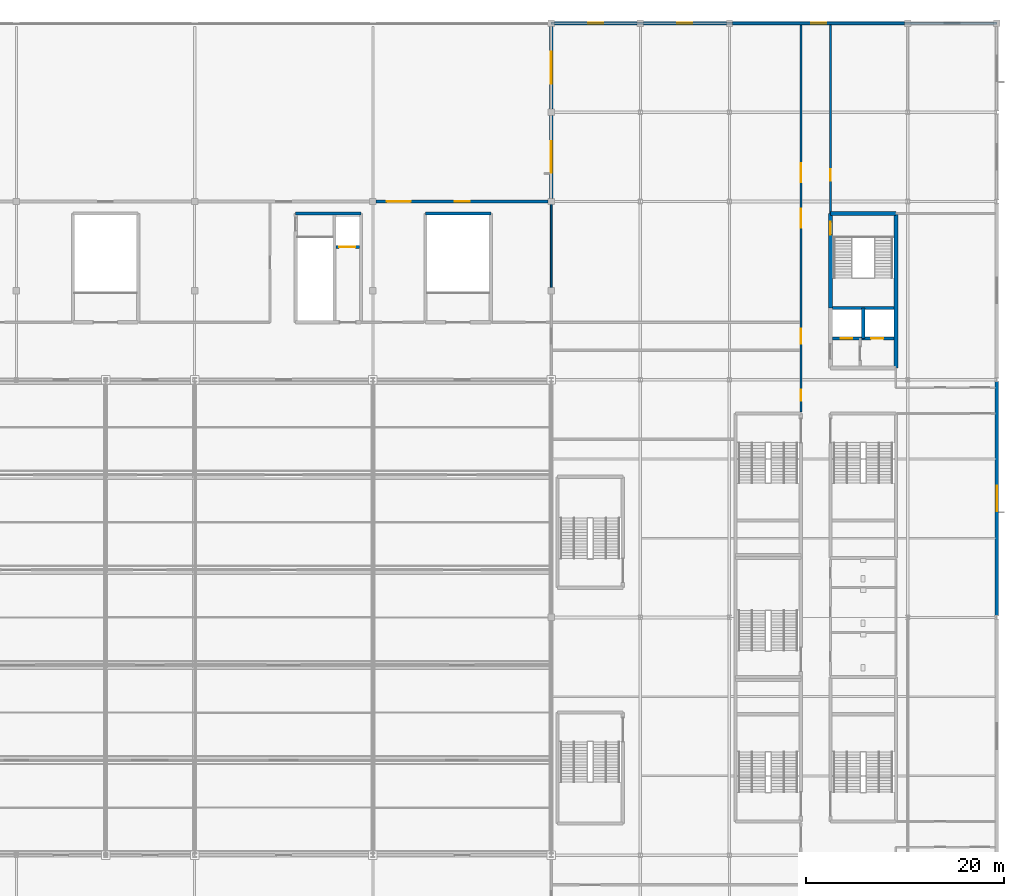
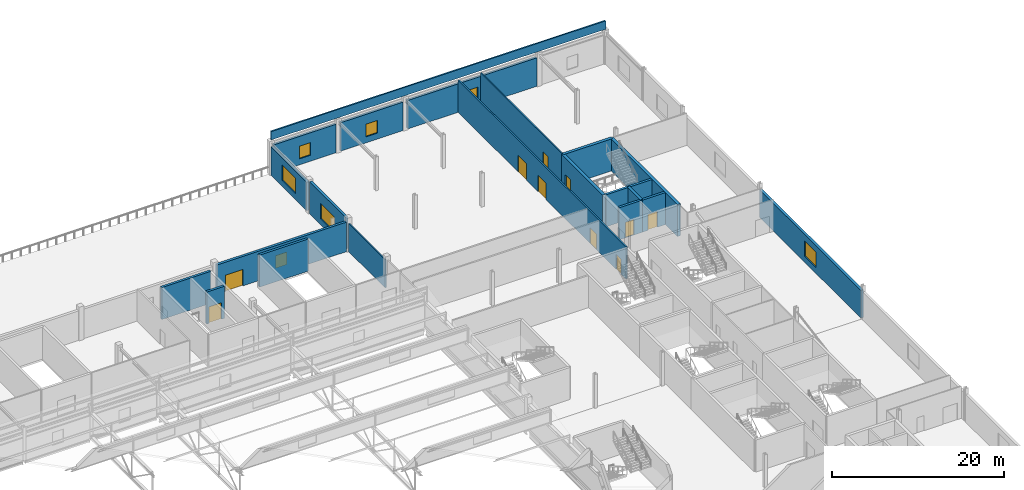
# One storey, part 107 of 136: 21 walls, 10 doors, 7 windows, 17 openings.
"""IFC4 building model written with IfcOpenShell, lengths in metres."""

from ifc_helpers import new_model, si_unit, direction, frame, frame_2d, origin, place, context, subcontext, project, spatial, rectangle, extrude, material, layer, layer_set, type_object, element, fill, save


model = new_model("IFC4")

# Units and contexts
model_context = context("Model", 3, precision=1e-05, world=origin(), true_north=direction((0.0, 1.0)))
body_context = subcontext(model_context, "Body", "Model", "MODEL_VIEW")
ifc_project = project(units=[si_unit("LENGTHUNIT", "METRE"), si_unit("AREAUNIT", "SQUARE_METRE"), si_unit("VOLUMEUNIT", "CUBIC_METRE"), si_unit("PLANEANGLEUNIT", "RADIAN"), si_unit("MASSUNIT", "GRAM", prefix="KILO")], contexts=[model_context])

# Site, building, storey
site_placement = place(None, origin())
site = spatial("IfcSite", under=ifc_project, at=site_placement, CompositionType="ELEMENT")
building_placement = place(site_placement, origin())
building = spatial("IfcBuilding", under=site, at=building_placement, Name="Kisiwana Market Hall", CompositionType="ELEMENT")
storey_placement = place(building_placement, frame((0.0, 0.0, 16.800048828125)))
storey = spatial("IfcBuildingStorey", under=building, at=storey_placement, Name="L03", CompositionType="ELEMENT", Elevation=16.800048828125)

# Wall, openings, doors
ifc_material_1 = material(Name="Masonry blockwork", Category="masonry")
ifc_layer_1 = layer(ifc_material_1, 0.199951171875, Name="Plastered fire compartment block wall")
ifc_layer_set_1 = layer_set([ifc_layer_1], Name="WL-COMP-200")
wall_type_1 = type_object("IfcWallType", Name="WL-COMP-200", PredefinedType="PARTITIONING", material=ifc_layer_set_1)
wall_1_placement = place(storey_placement, frame((178.199951171875, 80.760009765625, 0.0), z_axis=(0.0, 0.0, 1.0), x_axis=(0.0, 1.0, 0.0)))
wall_1 = element("IfcWall", 1, at=wall_1_placement, inside=storey, type_object=wall_type_1, Name="Interior partition W-1487", PredefinedType="PARTITIONING", context=body_context, shape_type="SweptSolid", body=[
    extrude(rectangle(XDim=39.070068359375, YDim=0.199951171875, at=frame_2d((19.53515625, 0.0))), origin(), (0.0, 0.0, 1.0), 4.554931640625),
])
opening_1_placement = place(wall_1_placement, frame((1.10009765625, 0.0, 0.0)))
opening_1 = element("IfcOpeningElement", 2, at=opening_1_placement, cuts=wall_1, Name="Opening DR-L03-080", PredefinedType="OPENING", context=body_context, shape_type="SweptSolid", body=[
    extrude(rectangle(XDim=1.14990234375, YDim=2.14990234375, at=frame_2d((0.574951171875, 1.074951171875))), frame((0.0, 0.11181640625, 0.0), z_axis=(0.0, -1.0, 0.0), x_axis=(1.0, 0.0, 0.0)), (0.0, 0.0, 1.0), 0.223876953125),
])
opening_2_placement = place(wall_1_placement, frame((6.889892578125, 0.0, 0.0)))
opening_2 = element("IfcOpeningElement", 3, at=opening_2_placement, cuts=wall_1, Name="Opening DR-L03-081", PredefinedType="OPENING", context=body_context, shape_type="SweptSolid", body=[
    extrude(rectangle(XDim=1.5, YDim=2.199951171875, at=frame_2d((0.75, 1.10009765625))), frame((0.0, 0.11181640625, 0.0), z_axis=(0.0, -1.0, 0.0), x_axis=(1.0, 0.0, 0.0)), (0.0, 0.0, 1.0), 0.223876953125),
])
opening_3_placement = place(wall_1_placement, frame((23.18994140625, 0.0, 0.0)))
opening_3 = element("IfcOpeningElement", 4, at=opening_3_placement, cuts=wall_1, Name="Opening DR-L03-082", PredefinedType="OPENING", context=body_context, shape_type="SweptSolid", body=[
    extrude(rectangle(XDim=1.89990234375, YDim=2.35009765625, at=frame_2d((0.949951171875, 1.175048828125))), frame((0.0, 0.11181640625, 0.0), z_axis=(0.0, -1.0, 0.0), x_axis=(1.0, 0.0, 0.0)), (0.0, 0.0, 1.0), 0.223876953125),
])
opening_4_placement = place(wall_1_placement, frame((18.5849609375, 0.0, 0.0)))
opening_4 = element("IfcOpeningElement", 5, at=opening_4_placement, cuts=wall_1, Name="Opening DR-L03-083", PredefinedType="OPENING", context=body_context, shape_type="SweptSolid", body=[
    extrude(rectangle(XDim=1.89990234375, YDim=2.35009765625, at=frame_2d((0.949951171875, 1.175048828125))), frame((0.0, 0.11181640625, 0.0), z_axis=(0.0, -1.0, 0.0), x_axis=(1.0, 0.0, 0.0)), (0.0, 0.0, 1.0), 0.223876953125),
])
ifc_material_2 = material(Name="Steel S275", Category="steel")
door_type_1 = type_object("IfcDoorType", Name="DR-CORR-FD60-1500", OperationType="DOUBLE_DOOR_SINGLE_SWING", PredefinedType="DOOR", material=ifc_material_2)
door_1_placement = place(opening_2_placement, origin())
door_1 = element("IfcDoor", 6, at=door_1_placement, inside=storey, type_object=door_type_1, Name="L03 E North Podium Link Corridor Door", OperationType="DOUBLE_DOOR_SINGLE_SWING", OverallHeight=2.199951171875, OverallWidth=1.5, PredefinedType="DOOR", context=body_context, shape_type="SweptSolid", body=[
    extrude(rectangle(XDim=1.5, YDim=2.199951171875, at=frame_2d((0.75, 1.10009765625))), frame((0.0, 0.02490234375, 0.0), z_axis=(0.0, -1.0, 0.0), x_axis=(1.0, 0.0, 0.0)), (0.0, 0.0, 1.0), 0.050048828125),
])
fill(opening_2, door_1)
ifc_material_3 = material(Name="Steel S275", Category="steel")
door_type_2 = type_object("IfcDoorType", Name="DR-HALL-1900", OperationType="DOUBLE_DOOR_SINGLE_SWING", PredefinedType="DOOR", material=ifc_material_3)
door_2_placement = place(opening_3_placement, origin())
door_2 = element("IfcDoor", 7, at=door_2_placement, inside=storey, type_object=door_type_2, Name="L03 E Podium Terrace Lounge East Door", OperationType="DOUBLE_DOOR_SINGLE_SWING", OverallHeight=2.35009765625, OverallWidth=1.89990234375, PredefinedType="DOOR", context=body_context, shape_type="SweptSolid", body=[
    extrude(rectangle(XDim=1.89990234375, YDim=2.35009765625, at=frame_2d((0.949951171875, 1.175048828125))), frame((0.0, 0.02490234375, 0.0), z_axis=(0.0, -1.0, 0.0), x_axis=(1.0, 0.0, 0.0)), (0.0, 0.0, 1.0), 0.050048828125),
])
fill(opening_3, door_2)
door_3_placement = place(opening_4_placement, origin())
door_3 = element("IfcDoor", 8, at=door_3_placement, inside=storey, type_object=door_type_2, Name="L03 E Civic Exhibition Hall Door", OperationType="DOUBLE_DOOR_SINGLE_SWING", OverallHeight=2.35009765625, OverallWidth=1.89990234375, PredefinedType="DOOR", context=body_context, shape_type="SweptSolid", body=[
    extrude(rectangle(XDim=1.89990234375, YDim=2.35009765625, at=frame_2d((0.949951171875, 1.175048828125))), frame((0.0, 0.02490234375, 0.0), z_axis=(0.0, -1.0, 0.0), x_axis=(1.0, 0.0, 0.0)), (0.0, 0.0, 1.0), 0.050048828125),
])
fill(opening_4, door_3)
ifc_material_4 = material(Name="Aluminium alloy 6063-T6", Category="aluminium")
door_type_3 = type_object("IfcDoorType", Name="DR-MEET-1150", OperationType="NOTDEFINED", PredefinedType="DOOR", material=ifc_material_4)
door_4_placement = place(opening_1_placement, origin())
door_4 = element("IfcDoor", 9, at=door_4_placement, inside=storey, type_object=door_type_3, Name="L03 E Curatorial Archive Workshop Door", OperationType="SINGLE_SWING_LEFT", OverallHeight=2.14990234375, OverallWidth=1.14990234375, PredefinedType="DOOR", context=body_context, shape_type="SweptSolid", body=[
    extrude(rectangle(XDim=1.14990234375, YDim=2.14990234375, at=frame_2d((0.574951171875, 1.074951171875))), frame((0.0, 0.02490234375, 0.0), z_axis=(0.0, -1.0, 0.0), x_axis=(1.0, 0.0, 0.0)), (0.0, 0.0, 1.0), 0.050048828125),
])
fill(opening_1, door_4)

# Walls
ifc_material_5 = material(Name="Concrete C40/50", Category="concrete")
ifc_layer_2 = layer(ifc_material_5, 0.320068359375, Name="Reinforced concrete shaft wall")
ifc_layer_set_2 = layer_set([ifc_layer_2], Name="WL-CORE-320")
wall_type_2 = type_object("IfcWallType", Name="WL-CORE-320", PredefinedType="SHEAR", material=ifc_layer_set_2)
wall_2_placement = place(storey_placement, frame((181.39990234375, 91.239990234375, 0.0), z_axis=(0.0, 0.0, 1.0), x_axis=(1.0, 0.0, 0.0)))
element("IfcWall", 10, at=wall_2_placement, inside=storey, type_object=wall_type_2, Name="Core E1 shaft back shear wall W-1216", PredefinedType="SHEAR", context=body_context, shape_type="SweptSolid", body=[
    extrude(rectangle(XDim=6.2001953125, YDim=0.320068359375, at=frame_2d((3.10009765625, 0.0))), origin(), (0.0, 0.0, 1.0), 4.554931640625),
])
wall_3_placement = place(storey_placement, frame((184.5, 88.179931640625, 0.0), z_axis=(0.0, 0.0, 1.0), x_axis=(0.0, 1.0, 0.0)))
element("IfcWall", 11, at=wall_3_placement, inside=storey, type_object=wall_type_2, Name="Core E1 inter-shaft shear wall W-1217", PredefinedType="SHEAR", context=body_context, shape_type="SweptSolid", body=[
    extrude(rectangle(XDim=3.06005859375, YDim=0.320068359375, at=frame_2d((1.530029296875, 0.0))), origin(), (0.0, 0.0, 1.0), 4.554931640625),
])

# Wall, opening, door
wall_4_placement = place(storey_placement, frame((181.39990234375, 88.179931640625, 0.0), z_axis=(0.0, 0.0, 1.0), x_axis=(1.0, 0.0, 0.0)))
wall_4 = element("IfcWall", 12, at=wall_4_placement, inside=storey, type_object=wall_type_2, Name="Core E1 west lift front wall W-1218", PredefinedType="SHEAR", context=body_context, shape_type="SweptSolid", body=[
    extrude(rectangle(XDim=3.10009765625, YDim=0.320068359375, at=frame_2d((1.550048828125, 0.0))), origin(), (0.0, 0.0, 1.0), 4.554931640625),
])
opening_5_placement = place(wall_4_placement, frame((0.85009765625, 0.0, 0.0)))
opening_5 = element("IfcOpeningElement", 13, at=opening_5_placement, cuts=wall_4, Name="Opening LD-L03-007", PredefinedType="OPENING", context=body_context, shape_type="SweptSolid", body=[
    extrude(rectangle(XDim=1.14990234375, YDim=2.199951171875, at=frame_2d((0.574951171875, 1.10009765625))), frame((0.0, 0.171875, 0.0), z_axis=(0.0, -1.0, 0.0), x_axis=(1.0, 0.0, 0.0)), (0.0, 0.0, 1.0), 0.343994140625),
])
ifc_material_6 = material(Name="Steel S275", Category="steel")
door_type_4 = type_object("IfcDoorType", Name="DR-LIFT-PAX-1150", OperationType="DOUBLE_DOOR_SLIDING", PredefinedType="DOOR", material=ifc_material_6)
door_5_placement = place(opening_5_placement, origin())
door_5 = element("IfcDoor", 14, at=door_5_placement, inside=storey, type_object=door_type_4, Name="Lift Landing Door LP-04 (L03)", OperationType="DOUBLE_DOOR_SLIDING", OverallHeight=2.199951171875, OverallWidth=1.14990234375, PredefinedType="DOOR", context=body_context, shape_type="SweptSolid", body=[
    extrude(rectangle(XDim=1.14990234375, YDim=2.199951171875, at=frame_2d((0.574951171875, 1.10009765625))), frame((0.0, 0.02490234375, 0.0), z_axis=(0.0, -1.0, 0.0), x_axis=(1.0, 0.0, 0.0)), (0.0, 0.0, 1.0), 0.050048828125),
])
fill(opening_5, door_5)

wall_5_placement = place(storey_placement, frame((184.5, 88.179931640625, 0.0), z_axis=(0.0, 0.0, 1.0), x_axis=(1.0, 0.0, 0.0)))
wall_5 = element("IfcWall", 15, at=wall_5_placement, inside=storey, type_object=wall_type_2, Name="Core E1 east lift front wall W-1219", PredefinedType="SHEAR", context=body_context, shape_type="SweptSolid", body=[
    extrude(rectangle(XDim=3.10009765625, YDim=0.320068359375, at=frame_2d((1.550048828125, 0.0))), origin(), (0.0, 0.0, 1.0), 4.554931640625),
])
opening_6_placement = place(wall_5_placement, frame((0.800048828125, 0.0, 0.0)))
opening_6 = element("IfcOpeningElement", 16, at=opening_6_placement, cuts=wall_5, Name="Opening LD-L03-008", PredefinedType="OPENING", context=body_context, shape_type="SweptSolid", body=[
    extrude(rectangle(XDim=1.25, YDim=2.25, at=frame_2d((0.625, 1.125))), frame((0.0, 0.171875, 0.0), z_axis=(0.0, -1.0, 0.0), x_axis=(1.0, 0.0, 0.0)), (0.0, 0.0, 1.0), 0.343994140625),
])
ifc_material_7 = material(Name="Steel S275", Category="steel")
door_type_5 = type_object("IfcDoorType", Name="DR-LIFT-FFL-1250", OperationType="DOUBLE_DOOR_SLIDING", PredefinedType="DOOR", material=ifc_material_7)
door_6_placement = place(opening_6_placement, origin())
door_6 = element("IfcDoor", 17, at=door_6_placement, inside=storey, type_object=door_type_5, Name="Lift Landing Door FFL-04 (L03)", OperationType="DOUBLE_DOOR_SLIDING", OverallHeight=2.25, OverallWidth=1.25, PredefinedType="DOOR", context=body_context, shape_type="SweptSolid", body=[
    extrude(rectangle(XDim=1.25, YDim=2.25, at=frame_2d((0.625, 1.125))), frame((0.0, 0.02490234375, 0.0), z_axis=(0.0, -1.0, 0.0), x_axis=(1.0, 0.0, 0.0)), (0.0, 0.0, 1.0), 0.050048828125),
])
fill(opening_6, door_6)

# Wall
wall_6_placement = place(storey_placement, frame((127.199951171875, 100.800048828125, 0.0), z_axis=(0.0, 0.0, 1.0), x_axis=(1.0, 0.0, 0.0)))
element("IfcWall", 18, at=wall_6_placement, inside=storey, type_object=wall_type_2, Name="Core N2 north wall W-1237", PredefinedType="SHEAR", context=body_context, shape_type="SweptSolid", body=[
    extrude(rectangle(XDim=6.60009765625, YDim=0.320068359375, at=frame_2d((3.300048828125, 0.0))), origin(), (0.0, 0.0, 1.0), 4.554931640625),
])

# Wall, opening, door
wall_7_placement = place(storey_placement, frame((131.280029296875, 97.389892578125, 0.0), z_axis=(0.0, 0.0, 1.0), x_axis=(1.0, 0.0, 0.0)))
wall_7 = element("IfcWall", 19, at=wall_7_placement, inside=storey, type_object=wall_type_2, Name="Core N2 goods lift front wall W-1241", PredefinedType="SHEAR", context=body_context, shape_type="SweptSolid", body=[
    extrude(rectangle(XDim=2.35986328125, YDim=0.320068359375, at=frame_2d((1.179931640625, 0.0))), origin(), (0.0, 0.0, 1.0), 4.554931640625),
])
opening_7_placement = place(wall_7_placement, frame((0.300048828125, 0.0, 0.0)))
opening_7 = element("IfcOpeningElement", 20, at=opening_7_placement, cuts=wall_7, Name="Opening LD-L03-010", PredefinedType="OPENING", context=body_context, shape_type="SweptSolid", body=[
    extrude(rectangle(XDim=1.64990234375, YDim=2.35009765625, at=frame_2d((0.824951171875, 1.175048828125))), frame((0.0, 0.171875, 0.0), z_axis=(0.0, -1.0, 0.0), x_axis=(1.0, 0.0, 0.0)), (0.0, 0.0, 1.0), 0.343994140625),
])
ifc_material_8 = material(Name="Steel S275", Category="steel")
door_type_6 = type_object("IfcDoorType", Name="DR-LIFT-GDS-1650", OperationType="DOUBLE_DOOR_SLIDING", PredefinedType="DOOR", material=ifc_material_8)
door_7_placement = place(opening_7_placement, origin())
door_7 = element("IfcDoor", 21, at=door_7_placement, inside=storey, type_object=door_type_6, Name="Lift Landing Door LG-02 (L03)", OperationType="DOUBLE_DOOR_SLIDING", OverallHeight=2.35009765625, OverallWidth=1.64990234375, PredefinedType="DOOR", context=body_context, shape_type="SweptSolid", body=[
    extrude(rectangle(XDim=1.64990234375, YDim=2.35009765625, at=frame_2d((0.824951171875, 1.175048828125))), frame((0.0, 0.02490234375, 0.0), z_axis=(0.0, -1.0, 0.0), x_axis=(1.0, 0.0, 0.0)), (0.0, 0.0, 1.0), 0.050048828125),
])
fill(opening_7, door_7)

# Walls
wall_8_placement = place(storey_placement, frame((140.300048828125, 100.800048828125, 0.0), z_axis=(0.0, 0.0, 1.0), x_axis=(1.0, 0.0, 0.0)))
element("IfcWall", 22, at=wall_8_placement, inside=storey, type_object=wall_type_2, Name="Core N6 outer shear wall W-1335", PredefinedType="SHEAR", context=body_context, shape_type="SweptSolid", body=[
    extrude(rectangle(XDim=6.599853515625, YDim=0.320068359375, at=frame_2d((3.2998046875, 0.0))), origin(), (0.0, 0.0, 1.0), 4.554931640625),
])
ifc_material_9 = material(Name="Concrete C40/50", Category="concrete")
ifc_layer_3 = layer(ifc_material_9, 0.39990234375, Name="Reinforced concrete core wall")
ifc_layer_set_3 = layer_set([ifc_layer_3], Name="WL-CORE-400")
wall_type_3 = type_object("IfcWallType", Name="WL-CORE-400", PredefinedType="SHEAR", material=ifc_layer_set_3)
wall_9_placement = place(storey_placement, frame((181.199951171875, 100.800048828125, 0.0), z_axis=(0.0, 0.0, 1.0), x_axis=(1.0, 0.0, 0.0)))
element("IfcWall", 23, at=wall_9_placement, inside=storey, type_object=wall_type_3, Name="Core E1 north shear wall W-1212", PredefinedType="SHEAR", context=body_context, shape_type="SweptSolid", body=[
    extrude(rectangle(XDim=6.60009765625, YDim=0.39990234375, at=frame_2d((3.300048828125, 0.0))), origin(), (0.0, 0.0, 1.0), 4.554931640625),
])
wall_10_placement = place(storey_placement, frame((187.800048828125, 85.199951171875, 0.0), z_axis=(0.0, 0.0, 1.0), x_axis=(0.0, 1.0, 0.0)))
element("IfcWall", 24, at=wall_10_placement, inside=storey, type_object=wall_type_3, Name="Core E1 outer shear wall W-1213", PredefinedType="SHEAR", context=body_context, shape_type="SweptSolid", body=[
    extrude(rectangle(XDim=15.60009765625, YDim=0.39990234375, at=frame_2d((7.800048828125, 0.0))), origin(), (0.0, 0.0, 1.0), 4.554931640625),
])

# Wall, opening, door
wall_11_placement = place(storey_placement, frame((181.199951171875, 91.239990234375, 0.0), z_axis=(0.0, 0.0, 1.0), x_axis=(0.0, 1.0, 0.0)))
wall_11 = element("IfcWall", 25, at=wall_11_placement, inside=storey, type_object=wall_type_3, Name="Core E1 stair corridor shear wall W-1215", PredefinedType="SHEAR", context=body_context, shape_type="SweptSolid", body=[
    extrude(rectangle(XDim=9.56005859375, YDim=0.39990234375, at=frame_2d((4.780029296875, 0.0))), origin(), (0.0, 0.0, 1.0), 4.554931640625),
])
opening_8_placement = place(wall_11_placement, frame((7.409912109375, 0.0, 0.0)))
opening_8 = element("IfcOpeningElement", 26, at=opening_8_placement, cuts=wall_11, Name="Opening DR-L03-011", PredefinedType="OPENING", context=body_context, shape_type="SweptSolid", body=[
    extrude(rectangle(XDim=1.300048828125, YDim=2.199951171875, at=frame_2d((0.64990234375, 1.10009765625))), frame((0.0, 0.2119140625, 0.0), z_axis=(0.0, -1.0, 0.0), x_axis=(1.0, 0.0, 0.0)), (0.0, 0.0, 1.0), 0.423828125),
])
ifc_material_10 = material(Name="Steel S275", Category="steel")
door_type_7 = type_object("IfcDoorType", Name="DR-STAIR-FD120-1300", OperationType="NOTDEFINED", PredefinedType="DOOR", material=ifc_material_10)
door_8_placement = place(opening_8_placement, frame((1.300048828125, 0.0, 0.0), z_axis=(0.0, 0.0, 1.0), x_axis=(-1.0, 0.0, 0.0)))
door_8 = element("IfcDoor", 27, at=door_8_placement, inside=storey, type_object=door_type_7, Name="Escape Stair E1 Fire Door (L03)", OperationType="SINGLE_SWING_LEFT", OverallHeight=2.199951171875, OverallWidth=1.300048828125, PredefinedType="DOOR", context=body_context, shape_type="SweptSolid", body=[
    extrude(rectangle(XDim=1.300048828125, YDim=2.199951171875, at=frame_2d((0.64990234375, 1.10009765625))), frame((0.0, 0.02490234375, 0.0), z_axis=(0.0, -1.0, 0.0), x_axis=(1.0, 0.0, 0.0)), (0.0, 0.0, 1.0), 0.050048828125),
])
fill(opening_8, door_8)

ifc_material_11 = material(Name="Masonry blockwork", Category="masonry")
ifc_layer_4 = layer(ifc_material_11, 0.169921875, Name="Protected corridor partition")
ifc_layer_set_4 = layer_set([ifc_layer_4], Name="WL-CORR-170")
wall_type_4 = type_object("IfcWallType", Name="WL-CORR-170", PredefinedType="PARTITIONING", material=ifc_layer_set_4)
wall_12_placement = place(storey_placement, frame((181.199951171875, 100.800048828125, 0.0), z_axis=(0.0, 0.0, 1.0), x_axis=(0.0, 1.0, 0.0)))
wall_12 = element("IfcWall", 28, at=wall_12_placement, inside=storey, type_object=wall_type_4, Name="Interior partition W-1480", PredefinedType="PARTITIONING", context=body_context, shape_type="SweptSolid", body=[
    extrude(rectangle(XDim=19.030029296875, YDim=0.169921875, at=frame_2d((9.51513671875, 0.0))), origin(), (0.0, 0.0, 1.0), 4.554931640625),
])
opening_9_placement = place(wall_12_placement, frame((3.300048828125, 0.0, 0.0)))
opening_9 = element("IfcOpeningElement", 29, at=opening_9_placement, cuts=wall_12, Name="Opening DR-L03-074", PredefinedType="OPENING", context=body_context, shape_type="SweptSolid", body=[
    extrude(rectangle(XDim=1.14990234375, YDim=2.14990234375, at=frame_2d((0.574951171875, 1.074951171875))), frame((0.0, 0.096923828125, 0.0), z_axis=(0.0, -1.0, 0.0), x_axis=(1.0, 0.0, 0.0)), (0.0, 0.0, 1.0), 0.19384765625),
])
door_9_placement = place(opening_9_placement, frame((1.14990234375, 0.0, 0.0), z_axis=(0.0, 0.0, 1.0), x_axis=(-1.0, 0.0, 0.0)))
door_9 = element("IfcDoor", 30, at=door_9_placement, inside=storey, type_object=door_type_3, Name="L03 E Corner Office Suite North Door", OperationType="SINGLE_SWING_RIGHT", OverallHeight=2.14990234375, OverallWidth=1.14990234375, PredefinedType="DOOR", context=body_context, shape_type="SweptSolid", body=[
    extrude(rectangle(XDim=1.14990234375, YDim=2.14990234375, at=frame_2d((0.574951171875, 1.074951171875))), frame((0.0, 0.02490234375, 0.0), z_axis=(0.0, -1.0, 0.0), x_axis=(1.0, 0.0, 0.0)), (0.0, 0.0, 1.0), 0.050048828125),
])
fill(opening_9, door_9)

# Wall
wall_13_placement = place(storey_placement, frame((153.0, 93.219970703125, 0.0), z_axis=(0.0, 0.0, 1.0), x_axis=(0.0, 1.0, 0.0)))
element("IfcWall", 31, at=wall_13_placement, inside=storey, type_object=wall_type_4, Name="Interior partition W-1491", PredefinedType="PARTITIONING", context=body_context, shape_type="SweptSolid", body=[
    extrude(rectangle(XDim=8.56005859375, YDim=0.169921875, at=frame_2d((4.280029296875, 0.0))), origin(), (0.0, 0.0, 1.0), 4.001953125),
])

# Wall, openings, door, window
ifc_material_12 = material(Name="Concrete C40/50 precast", Category="concrete")
ifc_layer_5 = layer(ifc_material_12, 0.14990234375, Name="Precast architectural concrete spandrel")
ifc_material_13 = material(Name="Mineral wool insulation")
ifc_layer_6 = layer(ifc_material_13, 0.090087890625, Name="Rockwool thermal insulation")
ifc_material_14 = material(Name="Masonry blockwork", Category="masonry")
ifc_layer_7 = layer(ifc_material_14, 0.10009765625, Name="Inner masonry block leaf")
ifc_layer_set_5 = layer_set([ifc_layer_5, ifc_layer_6, ifc_layer_7], Name="WL-EXT-PREC-340")
wall_type_5 = type_object("IfcWallType", Name="WL-EXT-PREC-340", PredefinedType="STANDARD", material=ifc_layer_set_5)
wall_14_placement = place(storey_placement, frame((135.31689453125, 102.0, 0.0), z_axis=(0.0, 0.0, 1.0), x_axis=(1.0, 0.0, 0.0)))
wall_14 = element("IfcWall", 32, at=wall_14_placement, inside=storey, type_object=wall_type_5, Name="Exterior wall W-1373", PredefinedType="STANDARD", context=body_context, shape_type="SweptSolid", body=[
    extrude(rectangle(XDim=17.3662109375, YDim=0.340087890625, at=frame_2d((8.68310546875, 0.0))), origin(), (0.0, 0.0, 1.0), 4.195068359375),
])
opening_10_placement = place(wall_14_placement, frame((7.93310546875, 0.0, 0.85009765625)))
opening_10 = element("IfcOpeningElement", 33, at=opening_10_placement, cuts=wall_14, Name="Opening WN-14", PredefinedType="OPENING", context=body_context, shape_type="SweptSolid", body=[
    extrude(rectangle(XDim=1.5, YDim=1.800048828125, at=frame_2d((0.75, 0.89990234375))), frame((0.0, 0.18212890625, 0.0), z_axis=(0.0, -1.0, 0.0), x_axis=(1.0, 0.0, 0.0)), (0.0, 0.0, 1.0), 0.364013671875),
])
opening_11_placement = place(wall_14_placement, frame((1.0830078125, 0.0, 0.0)))
opening_11 = element("IfcOpeningElement", 34, at=opening_11_placement, cuts=wall_14, Name="Opening DR-L03-983", PredefinedType="OPENING", context=body_context, shape_type="SweptSolid", body=[
    extrude(rectangle(XDim=2.39990234375, YDim=2.35009765625, at=frame_2d((1.199951171875, 1.175048828125))), frame((0.0, 0.18212890625, 0.0), z_axis=(0.0, -1.0, 0.0), x_axis=(1.0, 0.0, 0.0)), (0.0, 0.0, 1.0), 0.364013671875),
])
ifc_material_15 = material(Name="Aluminium alloy 6063-T6", Category="aluminium")
door_type_8 = type_object("IfcDoorType", Name="DR-EXT-TERR-2400", OperationType="DOUBLE_DOOR_SINGLE_SWING", PredefinedType="DOOR", material=ifc_material_15)
door_10_placement = place(opening_11_placement, frame((2.39990234375, 0.0, 0.0), z_axis=(0.0, 0.0, 1.0), x_axis=(-1.0, 0.0, 0.0)))
door_10 = element("IfcDoor", 35, at=door_10_placement, inside=storey, type_object=door_type_8, Name="Exterior terrace access door DR-L03-983", OperationType="DOUBLE_DOOR_SINGLE_SWING", OverallHeight=2.35009765625, OverallWidth=2.39990234375, PredefinedType="DOOR", context=body_context, shape_type="SweptSolid", body=[
    extrude(rectangle(XDim=2.39990234375, YDim=2.35009765625, at=frame_2d((1.199951171875, 1.175048828125))), frame((0.0, 0.02490234375, 0.0), z_axis=(0.0, -1.0, 0.0), x_axis=(1.0, 0.0, 0.0)), (0.0, 0.0, 1.0), 0.050048828125),
])
fill(opening_11, door_10)
ifc_material_16 = material(Name="Double-glazed solar-control low-E IGU", Category="glass")
window_type_1 = type_object("IfcWindowType", Name="WN-POD-1500x1800", PartitioningType="SINGLE_PANEL", PredefinedType="WINDOW", material=ifc_material_16)
window_1_placement = place(opening_10_placement, origin())
window_1 = element("IfcWindow", 36, at=window_1_placement, inside=storey, type_object=window_type_1, Name="Exterior window WN-103", OverallHeight=1.800048828125, OverallWidth=1.5, PartitioningType="SINGLE_PANEL", PredefinedType="WINDOW", context=body_context, shape_type="SweptSolid", body=[
    extrude(rectangle(XDim=1.5, YDim=1.800048828125, at=frame_2d((0.75, 0.89990234375))), frame((0.0, 0.030029296875, 0.0), z_axis=(0.0, -1.0, 0.0), x_axis=(1.0, 0.0, 0.0)), (0.0, 0.0, 1.0), 0.06005859375),
])
fill(opening_10, window_1)

# Wall, opening, window
wall_15_placement = place(storey_placement, frame((153.31689453125, 120.0, 0.0), z_axis=(0.0, 0.0, 1.0), x_axis=(1.0, 0.0, 0.0)))
wall_15 = element("IfcWall", 37, at=wall_15_placement, inside=storey, type_object=wall_type_5, Name="Exterior wall W-1378", PredefinedType="STANDARD", context=body_context, shape_type="SweptSolid", body=[
    extrude(rectangle(XDim=8.3662109375, YDim=0.340087890625, at=frame_2d((4.18310546875, 0.0))), origin(), (0.0, 0.0, 1.0), 4.0478515625),
])
opening_12_placement = place(wall_15_placement, frame((3.43310546875, 0.0, 0.85009765625)))
opening_12 = element("IfcOpeningElement", 38, at=opening_12_placement, cuts=wall_15, Name="Opening WN-14", PredefinedType="OPENING", context=body_context, shape_type="SweptSolid", body=[
    extrude(rectangle(XDim=1.5, YDim=1.800048828125, at=frame_2d((0.75, 0.89990234375))), frame((0.0, 0.18212890625, 0.0), z_axis=(0.0, -1.0, 0.0), x_axis=(1.0, 0.0, 0.0)), (0.0, 0.0, 1.0), 0.364013671875),
])
window_2_placement = place(opening_12_placement, origin())
window_2 = element("IfcWindow", 39, at=window_2_placement, inside=storey, type_object=window_type_1, Name="Exterior window WN-108", OverallHeight=1.800048828125, OverallWidth=1.5, PartitioningType="SINGLE_PANEL", PredefinedType="WINDOW", context=body_context, shape_type="SweptSolid", body=[
    extrude(rectangle(XDim=1.5, YDim=1.800048828125, at=frame_2d((0.75, 0.89990234375))), frame((0.0, 0.030029296875, 0.0), z_axis=(0.0, -1.0, 0.0), x_axis=(1.0, 0.0, 0.0)), (0.0, 0.0, 1.0), 0.06005859375),
])
fill(opening_12, window_2)

wall_16_placement = place(storey_placement, frame((162.31689453125, 120.0, 0.0), z_axis=(0.0, 0.0, 1.0), x_axis=(1.0, 0.0, 0.0)))
wall_16 = element("IfcWall", 40, at=wall_16_placement, inside=storey, type_object=wall_type_5, Name="Exterior wall W-1379", PredefinedType="STANDARD", context=body_context, shape_type="SweptSolid", body=[
    extrude(rectangle(XDim=8.3662109375, YDim=0.340087890625, at=frame_2d((4.18310546875, 0.0))), origin(), (0.0, 0.0, 1.0), 4.0478515625),
])
opening_13_placement = place(wall_16_placement, frame((3.43310546875, 0.0, 0.85009765625)))
opening_13 = element("IfcOpeningElement", 41, at=opening_13_placement, cuts=wall_16, Name="Opening WN-14", PredefinedType="OPENING", context=body_context, shape_type="SweptSolid", body=[
    extrude(rectangle(XDim=1.5, YDim=1.800048828125, at=frame_2d((0.75, 0.89990234375))), frame((0.0, 0.18212890625, 0.0), z_axis=(0.0, -1.0, 0.0), x_axis=(1.0, 0.0, 0.0)), (0.0, 0.0, 1.0), 0.364013671875),
])
window_3_placement = place(opening_13_placement, origin())
window_3 = element("IfcWindow", 42, at=window_3_placement, inside=storey, type_object=window_type_1, Name="Exterior window WN-109", OverallHeight=1.800048828125, OverallWidth=1.5, PartitioningType="SINGLE_PANEL", PredefinedType="WINDOW", context=body_context, shape_type="SweptSolid", body=[
    extrude(rectangle(XDim=1.5, YDim=1.800048828125, at=frame_2d((0.75, 0.89990234375))), frame((0.0, 0.030029296875, 0.0), z_axis=(0.0, -1.0, 0.0), x_axis=(1.0, 0.0, 0.0)), (0.0, 0.0, 1.0), 0.06005859375),
])
fill(opening_13, window_3)

wall_17_placement = place(storey_placement, frame((171.31689453125, 120.0, 0.0), z_axis=(0.0, 0.0, 1.0), x_axis=(1.0, 0.0, 0.0)))
wall_17 = element("IfcWall", 43, at=wall_17_placement, inside=storey, type_object=wall_type_5, Name="Exterior wall W-1380", PredefinedType="STANDARD", context=body_context, shape_type="SweptSolid", body=[
    extrude(rectangle(XDim=17.3662109375, YDim=0.340087890625, at=frame_2d((8.68310546875, 0.0))), origin(), (0.0, 0.0, 1.0), 4.0478515625),
])
opening_14_placement = place(wall_17_placement, frame((7.93310546875, 0.0, 0.85009765625)))
opening_14 = element("IfcOpeningElement", 44, at=opening_14_placement, cuts=wall_17, Name="Opening WN-14", PredefinedType="OPENING", context=body_context, shape_type="SweptSolid", body=[
    extrude(rectangle(XDim=1.5, YDim=1.800048828125, at=frame_2d((0.75, 0.89990234375))), frame((0.0, 0.18212890625, 0.0), z_axis=(0.0, -1.0, 0.0), x_axis=(1.0, 0.0, 0.0)), (0.0, 0.0, 1.0), 0.364013671875),
])
window_4_placement = place(opening_14_placement, origin())
window_4 = element("IfcWindow", 45, at=window_4_placement, inside=storey, type_object=window_type_1, Name="Exterior window WN-110", OverallHeight=1.800048828125, OverallWidth=1.5, PartitioningType="SINGLE_PANEL", PredefinedType="WINDOW", context=body_context, shape_type="SweptSolid", body=[
    extrude(rectangle(XDim=1.5, YDim=1.800048828125, at=frame_2d((0.75, 0.89990234375))), frame((0.0, 0.030029296875, 0.0), z_axis=(0.0, -1.0, 0.0), x_axis=(1.0, 0.0, 0.0)), (0.0, 0.0, 1.0), 0.06005859375),
])
fill(opening_14, window_4)

wall_18_placement = place(storey_placement, frame((153.0, 102.31689453125, 0.0), z_axis=(0.0, 0.0, 1.0), x_axis=(0.0, 1.0, 0.0)))
wall_18 = element("IfcWall", 46, at=wall_18_placement, inside=storey, type_object=wall_type_5, Name="Exterior wall W-1400", PredefinedType="STANDARD", context=body_context, shape_type="SweptSolid", body=[
    extrude(rectangle(XDim=8.3662109375, YDim=0.340087890625, at=frame_2d((4.18310546875, 0.0))), origin(), (0.0, 0.0, 1.0), 4.554931640625),
])
opening_15_placement = place(wall_18_placement, frame((2.5830078125, 0.0, 0.85009765625)))
opening_15 = element("IfcOpeningElement", 47, at=opening_15_placement, cuts=wall_18, Name="Opening WN-22", PredefinedType="OPENING", context=body_context, shape_type="SweptSolid", body=[
    extrude(rectangle(XDim=3.199951171875, YDim=2.199951171875, at=frame_2d((1.60009765625, 1.10009765625))), frame((0.0, 0.18212890625, 0.0), z_axis=(0.0, -1.0, 0.0), x_axis=(1.0, 0.0, 0.0)), (0.0, 0.0, 1.0), 0.364013671875),
])
ifc_material_17 = material(Name="Double-glazed solar-control low-E IGU", Category="glass")
window_type_2 = type_object("IfcWindowType", Name="WN-CONF-3200x2200", PartitioningType="SINGLE_PANEL", PredefinedType="WINDOW", material=ifc_material_17)
window_5_placement = place(opening_15_placement, origin())
window_5 = element("IfcWindow", 48, at=window_5_placement, inside=storey, type_object=window_type_2, Name="Exterior window WN-134", OverallHeight=2.199951171875, OverallWidth=3.199951171875, PartitioningType="SINGLE_PANEL", PredefinedType="WINDOW", context=body_context, shape_type="SweptSolid", body=[
    extrude(rectangle(XDim=3.199951171875, YDim=2.199951171875, at=frame_2d((1.60009765625, 1.10009765625))), frame((0.0, 0.030029296875, 0.0), z_axis=(0.0, -1.0, 0.0), x_axis=(1.0, 0.0, 0.0)), (0.0, 0.0, 1.0), 0.06005859375),
])
fill(opening_15, window_5)

wall_19_placement = place(storey_placement, frame((153.0, 111.31689453125, 0.0), z_axis=(0.0, 0.0, 1.0), x_axis=(0.0, 1.0, 0.0)))
wall_19 = element("IfcWall", 49, at=wall_19_placement, inside=storey, type_object=wall_type_5, Name="Exterior wall W-1401", PredefinedType="STANDARD", context=body_context, shape_type="SweptSolid", body=[
    extrude(rectangle(XDim=8.3662109375, YDim=0.340087890625, at=frame_2d((4.18310546875, 0.0))), origin(), (0.0, 0.0, 1.0), 4.0478515625),
])
opening_16_placement = place(wall_19_placement, frame((2.5830078125, 0.0, 0.85009765625)))
opening_16 = element("IfcOpeningElement", 50, at=opening_16_placement, cuts=wall_19, Name="Opening WN-22", PredefinedType="OPENING", context=body_context, shape_type="SweptSolid", body=[
    extrude(rectangle(XDim=3.199951171875, YDim=2.199951171875, at=frame_2d((1.60009765625, 1.10009765625))), frame((0.0, 0.18212890625, 0.0), z_axis=(0.0, -1.0, 0.0), x_axis=(1.0, 0.0, 0.0)), (0.0, 0.0, 1.0), 0.364013671875),
])
window_6_placement = place(opening_16_placement, origin())
window_6 = element("IfcWindow", 51, at=window_6_placement, inside=storey, type_object=window_type_2, Name="Exterior window WN-135", OverallHeight=2.199951171875, OverallWidth=3.199951171875, PartitioningType="SINGLE_PANEL", PredefinedType="WINDOW", context=body_context, shape_type="SweptSolid", body=[
    extrude(rectangle(XDim=3.199951171875, YDim=2.199951171875, at=frame_2d((1.60009765625, 1.10009765625))), frame((0.0, 0.030029296875, 0.0), z_axis=(0.0, -1.0, 0.0), x_axis=(1.0, 0.0, 0.0)), (0.0, 0.0, 1.0), 0.06005859375),
])
fill(opening_16, window_6)

wall_20_placement = place(storey_placement, frame((198.0, 60.194091796875, 0.0), z_axis=(0.0, 0.0, 1.0), x_axis=(0.0, 1.0, 0.0)))
wall_20 = element("IfcWall", 52, at=wall_20_placement, inside=storey, type_object=wall_type_5, Name="Exterior wall W-1406", PredefinedType="STANDARD", context=body_context, shape_type="SweptSolid", body=[
    extrude(rectangle(XDim=23.61181640625, YDim=0.340087890625, at=frame_2d((11.805908203125, 0.0))), origin(), (0.0, 0.0, 1.0), 3.94287109375),
])
opening_17_placement = place(wall_20_placement, frame((10.506103515625, 0.0, 0.85009765625)))
opening_17 = element("IfcOpeningElement", 53, at=opening_17_placement, cuts=wall_20, Name="Opening WN-16", PredefinedType="OPENING", context=body_context, shape_type="SweptSolid", body=[
    extrude(rectangle(XDim=2.60009765625, YDim=2.199951171875, at=frame_2d((1.300048828125, 1.10009765625))), frame((0.0, 0.18212890625, 0.0), z_axis=(0.0, -1.0, 0.0), x_axis=(1.0, 0.0, 0.0)), (0.0, 0.0, 1.0), 0.364013671875),
])
ifc_material_18 = material(Name="Double-glazed solar-control low-E IGU", Category="glass")
window_type_3 = type_object("IfcWindowType", Name="WN-EXH-2600x2200", PartitioningType="SINGLE_PANEL", PredefinedType="WINDOW", material=ifc_material_18)
window_7_placement = place(opening_17_placement, origin())
window_7 = element("IfcWindow", 54, at=window_7_placement, inside=storey, type_object=window_type_3, Name="Exterior window WN-120", OverallHeight=2.199951171875, OverallWidth=2.60009765625, PartitioningType="SINGLE_PANEL", PredefinedType="WINDOW", context=body_context, shape_type="SweptSolid", body=[
    extrude(rectangle(XDim=2.60009765625, YDim=2.199951171875, at=frame_2d((1.300048828125, 1.10009765625))), frame((0.0, 0.030029296875, 0.0), z_axis=(0.0, -1.0, 0.0), x_axis=(1.0, 0.0, 0.0)), (0.0, 0.0, 1.0), 0.06005859375),
])
fill(opening_17, window_7)

# Wall
ifc_material_19 = material(Name="Concrete C40/50", Category="concrete")
ifc_layer_8 = layer(ifc_material_19, 0.18994140625, Name="Podium edge upstand parapet")
ifc_layer_set_6 = layer_set([ifc_layer_8], Name="WL-PARA-190")
wall_type_6 = type_object("IfcWallType", Name="WL-PARA-190", PredefinedType="PARAPET", material=ifc_layer_set_6)
wall_21_placement = place(storey_placement, frame((153.0, 120.0, 4.800048828125), z_axis=(0.0, 0.0, 1.0), x_axis=(1.0, 0.0, 0.0)))
element("IfcWall", 55, at=wall_21_placement, inside=storey, type_object=wall_type_6, Name="Roof parapet wall W-1513", PredefinedType="PARAPET", context=body_context, shape_type="SweptSolid", body=[
    extrude(rectangle(XDim=45.0, YDim=0.18994140625, at=frame_2d((22.5, 0.0))), origin(), (0.0, 0.0, 1.0), 1.199951171875),
])

save(model, "model.ifc")
